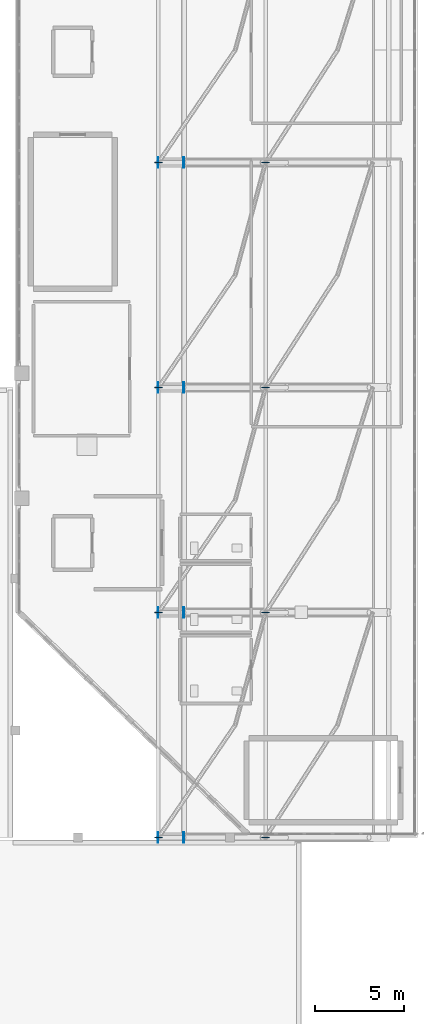
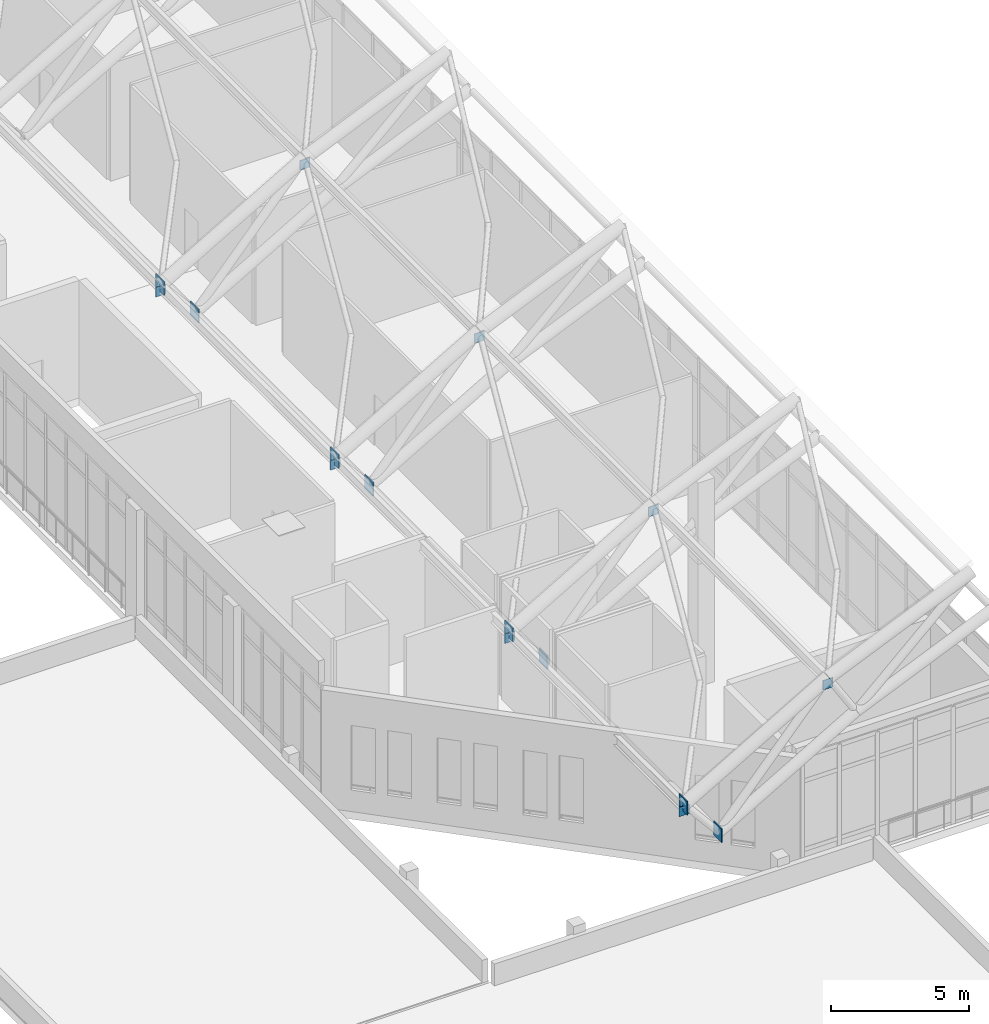
# One storey, part 32 of 42: 16 plates.
"""IFC4 building model written with IfcOpenShell, lengths in metres."""

from ifc_helpers import new_model, si_unit, derived_unit, direction, frame, origin, origin_2d, place, context, subcontext, project, spatial, rectangle, extrude, material, layer, layer_set, type_object, element, save


model = new_model("IFC4")

# Units and contexts
model_context = context("Model", 3, precision=1e-05, world=origin(), true_north=direction((0.0, 1.0)))
body_context = subcontext(model_context, "Body", "Model", "MODEL_VIEW")
ifc_project = project(units=[si_unit("LENGTHUNIT", "METRE"), si_unit("AREAUNIT", "SQUARE_METRE"), si_unit("VOLUMEUNIT", "CUBIC_METRE"), si_unit("PLANEANGLEUNIT", "RADIAN"), si_unit("MASSUNIT", "GRAM", prefix="KILO"), derived_unit("THERMALTRANSMITTANCEUNIT", [(si_unit("MASSUNIT", "GRAM", prefix="KILO"), 1), (si_unit("TIMEUNIT", "SECOND"), -3), (si_unit("THERMODYNAMICTEMPERATUREUNIT", "KELVIN"), -1)])], contexts=[model_context])

# Site, building, storey
site_placement = place(None, origin())
site = spatial("IfcSite", under=ifc_project, at=site_placement, CompositionType="ELEMENT")
building_placement = place(site_placement, origin())
building = spatial("IfcBuilding", under=site, at=building_placement, Name="Valcora Ridge Arena", CompositionType="ELEMENT")
storey_placement = place(building_placement, frame((0.0, 0.0, 26.39990234375)))
storey = spatial("IfcBuildingStorey", under=building, at=storey_placement, Name="L05", CompositionType="ELEMENT", Elevation=26.39990234375)

# Plates
ifc_material = material(Name="Steel ASTM A572 Grade 50", Category="steel")
ifc_layer_1 = layer(ifc_material, 0.044921875, Name="Steel ASTM A572 Grade 50")
ifc_layer_set_1 = layer_set([ifc_layer_1], Name="Steel ASTM A572 Grade 50")
plate_type_1 = type_object("IfcPlateType", Name="TY-PLATE-PL-CAP-550", PredefinedType="USERDEFINED", material=ifc_layer_set_1)
for number, where, z_axis, x_axis, name in (
    (1, (23.97998046875, 20.0, 4.650146484375), (0.0, 0.0, 1.0), (1.0, 0.0, 0.0), "PL-CAP-550 SF-CP-0001"),
    (2, (25.418212890625, 20.0, 2.93408203125), (0.0, 0.0, 1.0), (1.0, 0.0, 0.0), "PL-CAP-550 SF-CP-0002"),
    (3, (23.97998046875, 32.60009765625, 4.650146484375), (0.0, 0.0, 1.0), (1.0, 0.0, 0.0), "PL-CAP-550 SF-CP-0004"),
    (4, (25.418212890625, 32.60009765625, 2.93408203125), (0.0, 0.0, 1.0), (1.0, 0.0, 0.0), "PL-CAP-550 SF-CP-0005"),
    (5, (23.97998046875, 45.199951171875, 4.650146484375), (0.0, 0.0, 1.0), (1.0, 0.0, 0.0), "PL-CAP-550 SF-CP-0007"),
    (6, (25.418212890625, 45.199951171875, 2.93408203125), (0.0, 0.0, 1.0), (1.0, 0.0, 0.0), "PL-CAP-550 SF-CP-0008"),
    (7, (23.97998046875, 57.800048828125, 4.650146484375), (0.0, 0.0, 1.0), (1.0, 0.0, 0.0), "PL-CAP-550 SF-CP-0010"),
    (8, (25.418212890625, 57.800048828125, 2.93408203125), (0.0, 0.0, 1.0), (1.0, 0.0, 0.0), "PL-CAP-550 SF-CP-0011"),
):
    element("IfcPlate", number, at=place(storey_placement, frame(where, z_axis=z_axis, x_axis=x_axis)), inside=storey, type_object=plate_type_1, Name=name, ObjectType="GUSSET_PLATE", PredefinedType="USERDEFINED", context=body_context, shape_type="SweptSolid", body=[
        extrude(rectangle(XDim=0.044921875, YDim=0.60009765625, at=origin_2d()), origin(), (0.0, 0.0, 1.0), 0.60009765625),
    ])
ifc_layer_2 = layer(ifc_material, 0.031982421875, Name="Steel ASTM A572 Grade 50")
ifc_layer_set_2 = layer_set([ifc_layer_2], Name="Steel ASTM A572 Grade 50")
plate_type_2 = type_object("IfcPlateType", Name="TY-PLATE-PL-NODE-32", PredefinedType="USERDEFINED", material=ifc_layer_set_2)
for number, where, z_axis, x_axis, name in (
    (9, (24.0, 20.0, 4.47021484375), (0.0, 0.0, 1.0), (1.0, 0.0, 0.0), "PL-NODE-32 SF-GP-0001"),
    (10, (30.0, 20.0, 7.9521484375), (0.0, 0.0, 1.0), (1.0, 0.0, 0.0), "PL-NODE-32 SF-GP-0002"),
    (11, (24.0, 32.60009765625, 4.47021484375), (0.0, 0.0, 1.0), (1.0, 0.0, 0.0), "PL-NODE-32 SF-GP-0015"),
    (12, (30.0, 32.60009765625, 7.9521484375), (0.0, 0.0, 1.0), (1.0, 0.0, 0.0), "PL-NODE-32 SF-GP-0016"),
    (13, (24.0, 45.199951171875, 4.47021484375), (0.0, 0.0, 1.0), (1.0, 0.0, 0.0), "PL-NODE-32 SF-GP-0029"),
    (14, (30.0, 45.199951171875, 7.9521484375), (0.0, 0.0, 1.0), (1.0, 0.0, 0.0), "PL-NODE-32 SF-GP-0030"),
    (15, (24.0, 57.800048828125, 4.47021484375), (0.0, 0.0, 1.0), (1.0, 0.0, 0.0), "PL-NODE-32 SF-GP-0043"),
    (16, (30.0, 57.800048828125, 7.9521484375), (0.0, 0.0, 1.0), (1.0, 0.0, 0.0), "PL-NODE-32 SF-GP-0044"),
):
    element("IfcPlate", number, at=place(storey_placement, frame(where, z_axis=z_axis, x_axis=x_axis)), inside=storey, type_object=plate_type_2, Name=name, ObjectType="GUSSET_PLATE", PredefinedType="USERDEFINED", context=body_context, shape_type="SweptSolid", body=[
        extrude(rectangle(XDim=0.419921875, YDim=0.031982421875, at=origin_2d()), origin(), (0.0, 0.0, 1.0), 0.419921875),
    ])

save(model, "model.ifc")
